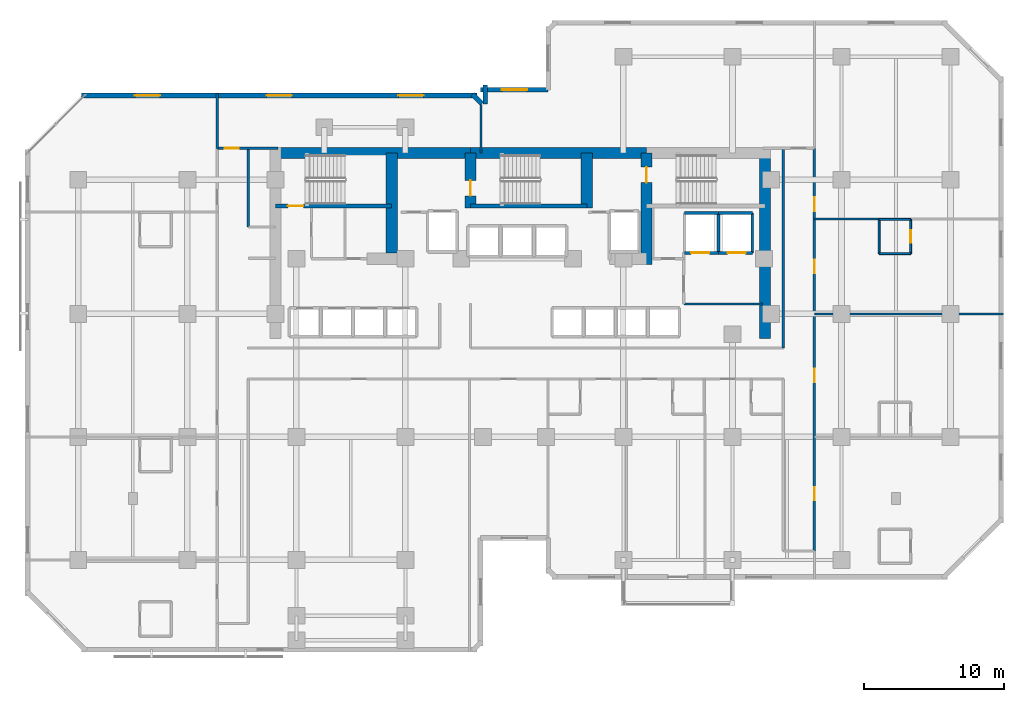
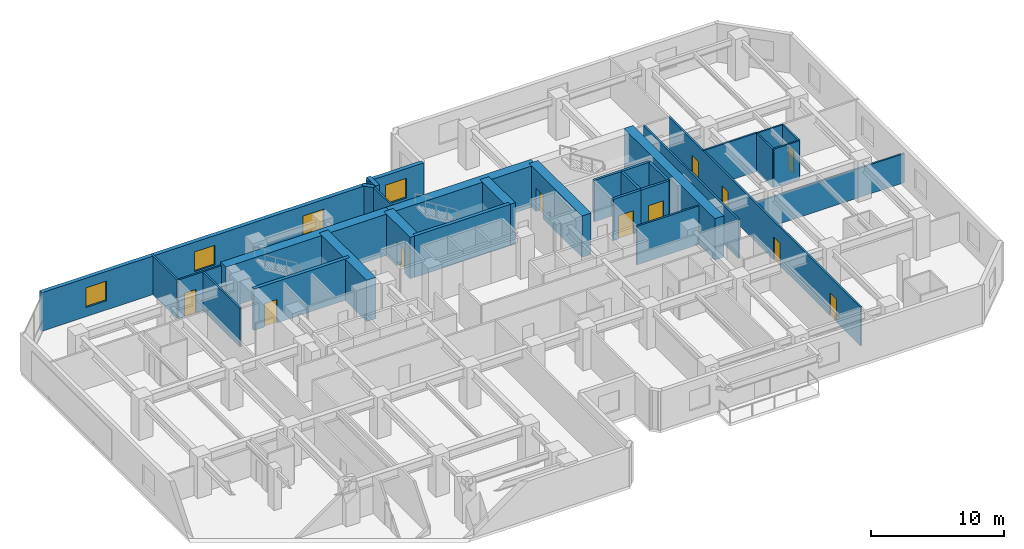
# One storey, part 9 of 12: 32 walls, 11 doors, 4 windows, 15 openings.
"""IFC4 building model written with IfcOpenShell, lengths in metres."""

from ifc_helpers import new_model, si_unit, direction, frame, frame_2d, origin, place, context, subcontext, project, spatial, rectangle, extrude, material, layer, layer_set, type_object, element, fill, save


model = new_model("IFC4")

# Units and contexts
model_context = context("Model", 3, precision=1e-05, world=origin(), true_north=direction((0.0, 1.0)))
body_context = subcontext(model_context, "Body", "Model", "MODEL_VIEW")
ifc_project = project(units=[si_unit("LENGTHUNIT", "METRE"), si_unit("AREAUNIT", "SQUARE_METRE"), si_unit("VOLUMEUNIT", "CUBIC_METRE"), si_unit("PLANEANGLEUNIT", "RADIAN"), si_unit("MASSUNIT", "GRAM", prefix="KILO")], contexts=[model_context])

# Site, building, storey
site_placement = place(None, origin())
site = spatial("IfcSite", under=ifc_project, at=site_placement, CompositionType="ELEMENT")
building_placement = place(site_placement, origin())
building = spatial("IfcBuilding", under=site, at=building_placement, Name="Kestravale Grand Hotel", CompositionType="ELEMENT")
storey_placement = place(building_placement, frame((0.0, 0.0, 118.39990234375)))
storey = spatial("IfcBuildingStorey", under=building, at=storey_placement, Name="L29", CompositionType="ELEMENT", Elevation=118.39990234375)

# Walls
ifc_material_1 = material(Name="Concrete f'c 60 MPa", Category="concrete")
ifc_layer_1 = layer(ifc_material_1, 0.800048828125)
ifc_layer_set_1 = layer_set([ifc_layer_1], Name="EW-CORE-800")
wall_type_1 = type_object("IfcWallType", Name="EW-CORE-800", PredefinedType="SHEAR", material=ifc_layer_set_1)
wall_1_placement = place(storey_placement, frame((21.5, 40.320068359375, 0.0), z_axis=(0.0, 0.0, 1.0), x_axis=(1.0, 0.0, 0.0)))
element("IfcWall", 1, at=wall_1_placement, inside=storey, type_object=wall_type_1, Name="L29 core shear wall N1", PredefinedType="SHEAR", context=body_context, shape_type="SweptSolid", body=[
    extrude(rectangle(XDim=14.35009765625, YDim=0.800048828125, at=frame_2d((7.175048828125, 0.0))), origin(), (0.0, 0.0, 1.0), 3.800048828125),
])
wall_2_placement = place(storey_placement, frame((35.85009765625, 40.320068359375, 0.0), z_axis=(0.0, 0.0, 1.0), x_axis=(1.0, 0.0, 0.0)))
element("IfcWall", 2, at=wall_2_placement, inside=storey, type_object=wall_type_1, Name="L29 core shear wall N2", PredefinedType="SHEAR", context=body_context, shape_type="SweptSolid", body=[
    extrude(rectangle(XDim=12.599853515625, YDim=0.800048828125, at=frame_2d((6.2998046875, 0.0))), origin(), (0.0, 0.0, 1.0), 3.800048828125),
])
wall_3_placement = place(storey_placement, frame((56.919921875, 27.050048828125, 0.0), z_axis=(0.0, 0.0, 1.0), x_axis=(0.0, 1.0, 0.0)))
element("IfcWall", 3, at=wall_3_placement, inside=storey, type_object=wall_type_1, Name="L29 core shear wall E1", PredefinedType="SHEAR", context=body_context, shape_type="SweptSolid", body=[
    extrude(rectangle(XDim=13.669921875, YDim=0.800048828125, at=frame_2d((6.8349609375, 0.0))), origin(), (0.0, 0.0, 1.0), 3.800048828125),
])
wall_4_placement = place(storey_placement, frame((30.219970703125, 33.14990234375, 0.0), z_axis=(0.0, 0.0, 1.0), x_axis=(0.0, 1.0, 0.0)))
element("IfcWall", 4, at=wall_4_placement, inside=storey, type_object=wall_type_1, Name="L29 core shear wall X1", PredefinedType="SHEAR", context=body_context, shape_type="SweptSolid", body=[
    extrude(rectangle(XDim=7.170166015625, YDim=0.800048828125, at=frame_2d((3.5849609375, 0.0))), origin(), (0.0, 0.0, 1.0), 3.800048828125),
])

# Wall, opening, door
wall_5_placement = place(storey_placement, frame((35.85009765625, 36.3701171875, 0.0), z_axis=(0.0, 0.0, 1.0), x_axis=(0.0, 1.0, 0.0)))
wall_5 = element("IfcWall", 5, at=wall_5_placement, inside=storey, type_object=wall_type_1, Name="L29 core shear wall X2", PredefinedType="SHEAR", context=body_context, shape_type="SweptSolid", body=[
    extrude(rectangle(XDim=3.949951171875, YDim=0.800048828125, at=frame_2d((1.97509765625, 0.0))), origin(), (0.0, 0.0, 1.0), 3.800048828125),
])
opening_1_placement = place(wall_5_placement, frame((0.8798828125, 0.0, 0.0)))
opening_1 = element("IfcOpeningElement", 6, at=opening_1_placement, cuts=wall_5, Name="Opening D-ST-1100", PredefinedType="OPENING", context=body_context, shape_type="SweptSolid", body=[
    extrude(rectangle(XDim=1.10009765625, YDim=2.14990234375, at=frame_2d((0.550048828125, 1.074951171875))), frame((0.0, 0.409912109375, 0.0), z_axis=(0.0, -1.0, 0.0), x_axis=(1.0, 0.0, 0.0)), (0.0, 0.0, 1.0), 0.820068359375),
])
ifc_material_2 = material(Name="Galvanised 90-minute fire-rated steel stair door", Category="steel")
door_type_1 = type_object("IfcDoorType", Name="D-ST-1100", OperationType="NOTDEFINED", PredefinedType="DOOR", material=ifc_material_2)
door_1_placement = place(opening_1_placement, origin())
door_1 = element("IfcDoor", 7, at=door_1_placement, inside=storey, type_object=door_type_1, Name="L29 Stair ST-2 FSAE fire door", OperationType="SINGLE_SWING_RIGHT", OverallHeight=2.14990234375, OverallWidth=1.10009765625, PredefinedType="DOOR", context=body_context, shape_type="SweptSolid", body=[
    extrude(rectangle(XDim=1.10009765625, YDim=2.14990234375, at=frame_2d((0.550048828125, 1.074951171875))), frame((0.0, 0.02490234375, 0.0), z_axis=(0.0, -1.0, 0.0), x_axis=(1.0, 0.0, 0.0)), (0.0, 0.0, 1.0), 0.050048828125),
])
fill(opening_1, door_1)

# Wall
wall_6_placement = place(storey_placement, frame((44.179931640625, 36.3701171875, 0.0), z_axis=(0.0, 0.0, 1.0), x_axis=(0.0, 1.0, 0.0)))
element("IfcWall", 8, at=wall_6_placement, inside=storey, type_object=wall_type_1, Name="L29 core shear wall X3", PredefinedType="SHEAR", context=body_context, shape_type="SweptSolid", body=[
    extrude(rectangle(XDim=3.949951171875, YDim=0.800048828125, at=frame_2d((1.97509765625, 0.0))), origin(), (0.0, 0.0, 1.0), 3.800048828125),
])

# Wall, opening, door
wall_7_placement = place(storey_placement, frame((48.449951171875, 32.35009765625, 0.0), z_axis=(0.0, 0.0, 1.0), x_axis=(0.0, 1.0, 0.0)))
wall_7 = element("IfcWall", 9, at=wall_7_placement, inside=storey, type_object=wall_type_1, Name="L29 core shear wall X4", PredefinedType="SHEAR", context=body_context, shape_type="SweptSolid", body=[
    extrude(rectangle(XDim=7.969970703125, YDim=0.800048828125, at=frame_2d((3.98486328125, 0.0))), origin(), (0.0, 0.0, 1.0), 3.800048828125),
])
opening_2_placement = place(wall_7_placement, frame((5.85009765625, 0.0, 0.0)))
opening_2 = element("IfcOpeningElement", 10, at=opening_2_placement, cuts=wall_7, Name="Opening D-ST-1100", PredefinedType="OPENING", context=body_context, shape_type="SweptSolid", body=[
    extrude(rectangle(XDim=1.10009765625, YDim=2.14990234375, at=frame_2d((0.550048828125, 1.074951171875))), frame((0.0, 0.409912109375, 0.0), z_axis=(0.0, -1.0, 0.0), x_axis=(1.0, 0.0, 0.0)), (0.0, 0.0, 1.0), 0.820068359375),
])
door_2_placement = place(opening_2_placement, origin())
door_2 = element("IfcDoor", 11, at=door_2_placement, inside=storey, type_object=door_type_1, Name="L29 Stair ST-3 FSAE fire door", OperationType="SINGLE_SWING_RIGHT", OverallHeight=2.14990234375, OverallWidth=1.10009765625, PredefinedType="DOOR", context=body_context, shape_type="SweptSolid", body=[
    extrude(rectangle(XDim=1.10009765625, YDim=2.14990234375, at=frame_2d((0.550048828125, 1.074951171875))), frame((0.0, 0.02490234375, 0.0), z_axis=(0.0, -1.0, 0.0), x_axis=(1.0, 0.0, 0.0)), (0.0, 0.0, 1.0), 0.050048828125),
])
fill(opening_2, door_2)

# Wall, opening, window
ifc_material_3 = material(Name="Precast concrete f'c 45 MPa", Category="concrete")
ifc_layer_2 = layer(ifc_material_3, 0.340087890625)
ifc_layer_set_2 = layer_set([ifc_layer_2], Name="EW-PREC-340")
wall_type_2 = type_object("IfcWallType", Name="EW-PREC-340", PredefinedType="SOLIDWALL", material=ifc_layer_set_2)
wall_8_placement = place(storey_placement, frame((41.419921875, 44.830078125, 0.0), z_axis=(0.0, 0.0, 1.0), x_axis=(-1.0, 0.0, 0.0)))
wall_8 = element("IfcWall", 12, at=wall_8_placement, inside=storey, type_object=wall_type_2, Name="L29 fluted precast facade wall 14", PredefinedType="SOLIDWALL", context=body_context, shape_type="SweptSolid", body=[
    extrude(rectangle(XDim=4.83984375, YDim=0.340087890625, at=frame_2d((2.419921875, 0.0))), origin(), (0.0, 0.0, 1.0), 3.5400390625),
])
opening_3_placement = place(wall_8_placement, frame((1.52001953125, 0.0, 0.85009765625)))
opening_3 = element("IfcOpeningElement", 13, at=opening_3_placement, cuts=wall_8, Name="Opening W-GUEST-1800", PredefinedType="OPENING", context=body_context, shape_type="SweptSolid", body=[
    extrude(rectangle(XDim=1.800048828125, YDim=1.800048828125, at=frame_2d((0.89990234375, 0.89990234375))), frame((0.0, 0.179931640625, 0.0), z_axis=(0.0, -1.0, 0.0), x_axis=(1.0, 0.0, 0.0)), (0.0, 0.0, 1.0), 0.360107421875),
])
ifc_material_4 = material(Name="Insulated low-E double glazing in aluminium frame", Category="aluminium")
window_type = type_object("IfcWindowType", Name="W-GUEST-1800", PartitioningType="DOUBLE_PANEL_VERTICAL", PredefinedType="WINDOW", material=ifc_material_4)
window_1_placement = place(opening_3_placement, origin())
window_1 = element("IfcWindow", 14, at=window_1_placement, inside=storey, type_object=window_type, Name="L29 exterior window 14.1", OverallHeight=1.800048828125, OverallWidth=1.800048828125, PartitioningType="SINGLE_PANEL", PredefinedType="WINDOW", context=body_context, shape_type="SweptSolid", body=[
    extrude(rectangle(XDim=1.800048828125, YDim=1.800048828125, at=frame_2d((0.89990234375, 0.89990234375))), frame((0.0, 0.030029296875, 0.0), z_axis=(0.0, -1.0, 0.0), x_axis=(1.0, 0.0, 0.0)), (0.0, 0.0, 1.0), 0.06005859375),
])
fill(opening_3, window_1)

# Walls
wall_9_placement = place(storey_placement, frame((36.919921875, 45.169921875, 0.0), z_axis=(0.0, 0.0, 1.0), x_axis=(0.0, -1.0, 0.0)))
element("IfcWall", 15, at=wall_9_placement, inside=storey, type_object=wall_type_2, Name="L29 fluted precast facade wall 15", PredefinedType="SOLIDWALL", context=body_context, shape_type="SweptSolid", body=[
    extrude(rectangle(XDim=1.33984375, YDim=0.340087890625, at=frame_2d((0.669921875, 0.0))), origin(), (0.0, 0.0, 1.0), 3.5400390625),
])
wall_10_placement = place(storey_placement, frame((36.658203125, 43.8515625, 0.0), z_axis=(0.0, 0.0, 1.0), x_axis=(-0.707238225886, 0.706975312048, 0.0)))
element("IfcWall", 16, at=wall_10_placement, inside=storey, type_object=wall_type_2, Name="L29 fluted precast facade wall 16", PredefinedType="SOLIDWALL", context=body_context, shape_type="SweptSolid", body=[
    extrude(rectangle(XDim=0.9287109375, YDim=0.340087890625, at=frame_2d((0.46435546875, 0.0))), origin(), (0.0, 0.0, 1.0), 3.5400390625),
])

# Wall, openings, windows
wall_11_placement = place(storey_placement, frame((36.320068359375, 44.429931640625, 0.0), z_axis=(0.0, 0.0, 1.0), x_axis=(-1.0, 0.0, 0.0)))
wall_11 = element("IfcWall", 17, at=wall_11_placement, inside=storey, type_object=wall_type_2, Name="L29 fluted precast facade wall 17", PredefinedType="SOLIDWALL", context=body_context, shape_type="SweptSolid", body=[
    extrude(rectangle(XDim=28.2900390625, YDim=0.340087890625, at=frame_2d((14.14501953125, 0.0))), origin(), (0.0, 0.0, 1.0), 3.5400390625),
])
opening_4_placement = place(wall_11_placement, frame((3.81494140625, 0.0, 0.85009765625)))
opening_4 = element("IfcOpeningElement", 18, at=opening_4_placement, cuts=wall_11, Name="Opening W-GUEST-1800", PredefinedType="OPENING", context=body_context, shape_type="SweptSolid", body=[
    extrude(rectangle(XDim=1.800048828125, YDim=1.800048828125, at=frame_2d((0.89990234375, 0.89990234375))), frame((0.0, 0.179931640625, 0.0), z_axis=(0.0, -1.0, 0.0), x_axis=(1.0, 0.0, 0.0)), (0.0, 0.0, 1.0), 0.360107421875),
])
opening_5_placement = place(wall_11_placement, frame((13.2451171875, 0.0, 0.85009765625)))
opening_5 = element("IfcOpeningElement", 19, at=opening_5_placement, cuts=wall_11, Name="Opening W-GUEST-1800", PredefinedType="OPENING", context=body_context, shape_type="SweptSolid", body=[
    extrude(rectangle(XDim=1.800048828125, YDim=1.800048828125, at=frame_2d((0.89990234375, 0.89990234375))), frame((0.0, 0.179931640625, 0.0), z_axis=(0.0, -1.0, 0.0), x_axis=(1.0, 0.0, 0.0)), (0.0, 0.0, 1.0), 0.360107421875),
])
opening_6_placement = place(wall_11_placement, frame((22.675048828125, 0.0, 0.85009765625)))
opening_6 = element("IfcOpeningElement", 20, at=opening_6_placement, cuts=wall_11, Name="Opening W-GUEST-1800", PredefinedType="OPENING", context=body_context, shape_type="SweptSolid", body=[
    extrude(rectangle(XDim=1.800048828125, YDim=1.800048828125, at=frame_2d((0.89990234375, 0.89990234375))), frame((0.0, 0.179931640625, 0.0), z_axis=(0.0, -1.0, 0.0), x_axis=(1.0, 0.0, 0.0)), (0.0, 0.0, 1.0), 0.360107421875),
])
window_2_placement = place(opening_4_placement, origin())
window_2 = element("IfcWindow", 21, at=window_2_placement, inside=storey, type_object=window_type, Name="L29 exterior window 17.1", OverallHeight=1.800048828125, OverallWidth=1.800048828125, PartitioningType="SINGLE_PANEL", PredefinedType="WINDOW", context=body_context, shape_type="SweptSolid", body=[
    extrude(rectangle(XDim=1.800048828125, YDim=1.800048828125, at=frame_2d((0.89990234375, 0.89990234375))), frame((0.0, 0.030029296875, 0.0), z_axis=(0.0, -1.0, 0.0), x_axis=(1.0, 0.0, 0.0)), (0.0, 0.0, 1.0), 0.06005859375),
])
fill(opening_4, window_2)
window_3_placement = place(opening_5_placement, origin())
window_3 = element("IfcWindow", 22, at=window_3_placement, inside=storey, type_object=window_type, Name="L29 exterior window 17.2", OverallHeight=1.800048828125, OverallWidth=1.800048828125, PartitioningType="SINGLE_PANEL", PredefinedType="WINDOW", context=body_context, shape_type="SweptSolid", body=[
    extrude(rectangle(XDim=1.800048828125, YDim=1.800048828125, at=frame_2d((0.89990234375, 0.89990234375))), frame((0.0, 0.030029296875, 0.0), z_axis=(0.0, -1.0, 0.0), x_axis=(1.0, 0.0, 0.0)), (0.0, 0.0, 1.0), 0.06005859375),
])
fill(opening_5, window_3)
window_4_placement = place(opening_6_placement, origin())
window_4 = element("IfcWindow", 23, at=window_4_placement, inside=storey, type_object=window_type, Name="L29 exterior window 17.3", OverallHeight=1.800048828125, OverallWidth=1.800048828125, PartitioningType="SINGLE_PANEL", PredefinedType="WINDOW", context=body_context, shape_type="SweptSolid", body=[
    extrude(rectangle(XDim=1.800048828125, YDim=1.800048828125, at=frame_2d((0.89990234375, 0.89990234375))), frame((0.0, 0.030029296875, 0.0), z_axis=(0.0, -1.0, 0.0), x_axis=(1.0, 0.0, 0.0)), (0.0, 0.0, 1.0), 0.06005859375),
])
fill(opening_6, window_4)

# Wall, opening, door
ifc_material_5 = material(Name="Concrete f'c 45 MPa", Category="concrete")
ifc_layer_3 = layer(ifc_material_5, 0.300048828125)
ifc_layer_set_3 = layer_set([ifc_layer_3], Name="EW-STAIR-300")
wall_type_3 = type_object("IfcWallType", Name="EW-STAIR-300", PredefinedType="SHEAR", material=ifc_layer_set_3)
wall_12_placement = place(storey_placement, frame((21.89990234375, 36.52001953125, 0.0), z_axis=(0.0, 0.0, 1.0), x_axis=(1.0, 0.0, 0.0)))
wall_12 = element("IfcWall", 24, at=wall_12_placement, inside=storey, type_object=wall_type_3, Name="L29 stair enclosure shear wall SST1", PredefinedType="SHEAR", context=body_context, shape_type="SweptSolid", body=[
    extrude(rectangle(XDim=8.320068359375, YDim=0.300048828125, at=frame_2d((4.16015625, 0.0))), origin(), (0.0, 0.0, 1.0), 3.800048828125),
])
opening_7_placement = place(wall_12_placement, frame((0.89990234375, 0.0, 0.0)))
opening_7 = element("IfcOpeningElement", 25, at=opening_7_placement, cuts=wall_12, Name="Opening D-ST-1100", PredefinedType="OPENING", context=body_context, shape_type="SweptSolid", body=[
    extrude(rectangle(XDim=1.10009765625, YDim=2.14990234375, at=frame_2d((0.550048828125, 1.074951171875))), frame((0.0, 0.159912109375, 0.0), z_axis=(0.0, -1.0, 0.0), x_axis=(1.0, 0.0, 0.0)), (0.0, 0.0, 1.0), 0.320068359375),
])
door_3_placement = place(opening_7_placement, origin())
door_3 = element("IfcDoor", 26, at=door_3_placement, inside=storey, type_object=door_type_1, Name="L29 Stair ST-1 fire door", OperationType="SINGLE_SWING_RIGHT", OverallHeight=2.14990234375, OverallWidth=1.10009765625, PredefinedType="DOOR", context=body_context, shape_type="SweptSolid", body=[
    extrude(rectangle(XDim=1.10009765625, YDim=2.14990234375, at=frame_2d((0.550048828125, 1.074951171875))), frame((0.0, 0.02490234375, 0.0), z_axis=(0.0, -1.0, 0.0), x_axis=(1.0, 0.0, 0.0)), (0.0, 0.0, 1.0), 0.050048828125),
])
fill(opening_7, door_3)

# Walls
wall_13_placement = place(storey_placement, frame((35.85009765625, 36.52001953125, 0.0), z_axis=(0.0, 0.0, 1.0), x_axis=(1.0, 0.0, 0.0)))
element("IfcWall", 27, at=wall_13_placement, inside=storey, type_object=wall_type_3, Name="L29 stair enclosure shear wall SST2", PredefinedType="SHEAR", context=body_context, shape_type="SweptSolid", body=[
    extrude(rectangle(XDim=8.329833984375, YDim=0.300048828125, at=frame_2d((4.1650390625, 0.0))), origin(), (0.0, 0.0, 1.0), 3.800048828125),
])
ifc_material_6 = material(Name="Acoustic fire-rated gypsum board partition", Category="other")
ifc_layer_4 = layer(ifc_material_6, 0.159912109375)
ifc_layer_set_4 = layer_set([ifc_layer_4], Name="IW-CORR-160")
wall_type_4 = type_object("IfcWallType", Name="IW-CORR-160", PredefinedType="PARTITIONING", material=ifc_layer_set_4)
for number, where, z_axis, x_axis, name in (
    (28, (51.1201171875, 29.5, 0.0), (0.0, 0.0, 1.0), (1.0, 0.0, 0.0), "L29 service lift lobby wall"),
    (29, (19.9599609375, 35.02001953125, 0.0), (0.0, 0.0, 1.0), (0.0, 1.0, 0.0), "W-L29-SW-EN"),
):
    element("IfcWall", number, at=place(storey_placement, frame(where, z_axis=z_axis, x_axis=x_axis)), inside=storey, type_object=wall_type_4, Name=name, PredefinedType="PARTITIONING", context=body_context, shape_type="SweptSolid", body=[
        extrude(rectangle(XDim=5.6298828125, YDim=0.159912109375, at=frame_2d((2.81494140625, 0.0))), origin(), (0.0, 0.0, 1.0), 3.5400390625),
    ])

# Wall, openings, doors
wall_14_placement = place(storey_placement, frame((60.4599609375, 11.85009765625, 0.0), z_axis=(0.0, 0.0, 1.0), x_axis=(0.0, 1.0, 0.0)))
wall_14 = element("IfcWall", 30, at=wall_14_placement, inside=storey, type_object=wall_type_4, Name="W-L29-SE-E", PredefinedType="PARTITIONING", context=body_context, shape_type="SweptSolid", body=[
    extrude(rectangle(XDim=28.7998046875, YDim=0.159912109375, at=frame_2d((14.39990234375, 0.0))), origin(), (0.0, 0.0, 1.0), 3.5400390625),
])
opening_8_placement = place(wall_14_placement, frame((3.60009765625, 0.0, 0.0)))
opening_8 = element("IfcOpeningElement", 31, at=opening_8_placement, cuts=wall_14, Name="Opening D-GUEST-950", PredefinedType="OPENING", context=body_context, shape_type="SweptSolid", body=[
    extrude(rectangle(XDim=0.949951171875, YDim=2.10009765625, at=frame_2d((0.47509765625, 1.050048828125))), frame((0.0, 0.08984375, 0.0), z_axis=(0.0, -1.0, 0.0), x_axis=(1.0, 0.0, 0.0)), (0.0, 0.0, 1.0), 0.179931640625),
])
opening_9_placement = place(wall_14_placement, frame((12.074951171875, 0.0, 0.0)))
opening_9 = element("IfcOpeningElement", 32, at=opening_9_placement, cuts=wall_14, Name="Opening D-GUEST-950", PredefinedType="OPENING", context=body_context, shape_type="SweptSolid", body=[
    extrude(rectangle(XDim=0.949951171875, YDim=2.10009765625, at=frame_2d((0.47509765625, 1.050048828125))), frame((0.0, 0.08984375, 0.0), z_axis=(0.0, -1.0, 0.0), x_axis=(1.0, 0.0, 0.0)), (0.0, 0.0, 1.0), 0.179931640625),
])
opening_10_placement = place(wall_14_placement, frame((19.875, 0.0, 0.0)))
opening_10 = element("IfcOpeningElement", 33, at=opening_10_placement, cuts=wall_14, Name="Opening D-GUEST-950", PredefinedType="OPENING", context=body_context, shape_type="SweptSolid", body=[
    extrude(rectangle(XDim=0.949951171875, YDim=2.10009765625, at=frame_2d((0.47509765625, 1.050048828125))), frame((0.0, 0.08984375, 0.0), z_axis=(0.0, -1.0, 0.0), x_axis=(1.0, 0.0, 0.0)), (0.0, 0.0, 1.0), 0.179931640625),
])
opening_11_placement = place(wall_14_placement, frame((24.300048828125, 0.0, 0.0)))
opening_11 = element("IfcOpeningElement", 34, at=opening_11_placement, cuts=wall_14, Name="Opening D-GUEST-1000", PredefinedType="OPENING", context=body_context, shape_type="SweptSolid", body=[
    extrude(rectangle(XDim=1.0, YDim=2.14990234375, at=frame_2d((0.5, 1.074951171875))), frame((0.0, 0.08984375, 0.0), z_axis=(0.0, -1.0, 0.0), x_axis=(1.0, 0.0, 0.0)), (0.0, 0.0, 1.0), 0.179931640625),
])
ifc_material_7 = material(Name="Accessible walnut veneer hotel entrance fire door", Category="wood")
door_type_2 = type_object("IfcDoorType", Name="D-GUEST-1000", OperationType="NOTDEFINED", PredefinedType="DOOR", material=ifc_material_7)
door_4_placement = place(opening_11_placement, origin())
door_4 = element("IfcDoor", 35, at=door_4_placement, inside=storey, type_object=door_type_2, Name="D-L29-AMEW", OperationType="SINGLE_SWING_RIGHT", OverallHeight=2.14990234375, OverallWidth=1.0, PredefinedType="DOOR", context=body_context, shape_type="SweptSolid", body=[
    extrude(rectangle(XDim=1.0, YDim=2.14990234375, at=frame_2d((0.5, 1.074951171875))), frame((0.0, 0.02490234375, 0.0), z_axis=(0.0, -1.0, 0.0), x_axis=(1.0, 0.0, 0.0)), (0.0, 0.0, 1.0), 0.050048828125),
])
fill(opening_11, door_4)
ifc_material_8 = material(Name="Walnut veneer hotel guestroom entrance fire door", Category="wood")
door_type_3 = type_object("IfcDoorType", Name="D-GUEST-950", OperationType="NOTDEFINED", PredefinedType="DOOR", material=ifc_material_8)
door_5_placement = place(opening_8_placement, origin())
door_5 = element("IfcDoor", 36, at=door_5_placement, inside=storey, type_object=door_type_3, Name="D-L29-U07-ENT", OperationType="SINGLE_SWING_LEFT", OverallHeight=2.10009765625, OverallWidth=0.949951171875, PredefinedType="DOOR", context=body_context, shape_type="SweptSolid", body=[
    extrude(rectangle(XDim=0.949951171875, YDim=2.10009765625, at=frame_2d((0.47509765625, 1.050048828125))), frame((0.0, 0.02490234375, 0.0), z_axis=(0.0, -1.0, 0.0), x_axis=(1.0, 0.0, 0.0)), (0.0, 0.0, 1.0), 0.050048828125),
])
fill(opening_8, door_5)
door_6_placement = place(opening_9_placement, origin())
door_6 = element("IfcDoor", 37, at=door_6_placement, inside=storey, type_object=door_type_3, Name="D-L29-U08-ENT", OperationType="SINGLE_SWING_LEFT", OverallHeight=2.10009765625, OverallWidth=0.949951171875, PredefinedType="DOOR", context=body_context, shape_type="SweptSolid", body=[
    extrude(rectangle(XDim=0.949951171875, YDim=2.10009765625, at=frame_2d((0.47509765625, 1.050048828125))), frame((0.0, 0.02490234375, 0.0), z_axis=(0.0, -1.0, 0.0), x_axis=(1.0, 0.0, 0.0)), (0.0, 0.0, 1.0), 0.050048828125),
])
fill(opening_9, door_6)
door_7_placement = place(opening_10_placement, origin())
door_7 = element("IfcDoor", 38, at=door_7_placement, inside=storey, type_object=door_type_3, Name="D-L29-U09-ENT", OperationType="SINGLE_SWING_LEFT", OverallHeight=2.10009765625, OverallWidth=0.949951171875, PredefinedType="DOOR", context=body_context, shape_type="SweptSolid", body=[
    extrude(rectangle(XDim=0.949951171875, YDim=2.10009765625, at=frame_2d((0.47509765625, 1.050048828125))), frame((0.0, 0.02490234375, 0.0), z_axis=(0.0, -1.0, 0.0), x_axis=(1.0, 0.0, 0.0)), (0.0, 0.0, 1.0), 0.050048828125),
])
fill(opening_10, door_7)

# Walls
wall_15_placement = place(storey_placement, frame((58.239990234375, 26.360107421875, 0.0), z_axis=(0.0, 0.0, 1.0), x_axis=(0.0, 1.0, 0.0)))
element("IfcWall", 39, at=wall_15_placement, inside=storey, type_object=wall_type_4, Name="W-L29-SE-WU", PredefinedType="PARTITIONING", context=body_context, shape_type="SweptSolid", body=[
    extrude(rectangle(XDim=14.289794921875, YDim=0.159912109375, at=frame_2d((7.14501953125, 0.0))), origin(), (0.0, 0.0, 1.0), 3.5400390625),
])
ifc_material_9 = material(Name="Moisture-resistant tile-backer plumbing chase wall", Category="other")
ifc_layer_5 = layer(ifc_material_9, 0.139892578125)
ifc_layer_set_5 = layer_set([ifc_layer_5], Name="IW-PLB-140")
wall_type_5 = type_object("IfcWallType", Name="IW-PLB-140", PredefinedType="PLUMBINGWALL", material=ifc_layer_set_5)
wall_16_placement = place(storey_placement, frame((65.10009765625, 33.110107421875, 0.0), z_axis=(0.0, 0.0, 1.0), x_axis=(0.0, 1.0, 0.0)))
element("IfcWall", 40, at=wall_16_placement, inside=storey, type_object=wall_type_5, Name="W-L29-U09-BW", PredefinedType="PLUMBINGWALL", context=body_context, shape_type="SweptSolid", body=[
    extrude(rectangle(XDim=2.449951171875, YDim=0.139892578125, at=frame_2d((1.22509765625, 0.0))), origin(), (0.0, 0.0, 1.0), 3.5400390625),
])

# Wall, opening, door
wall_17_placement = place(storey_placement, frame((67.35009765625, 33.110107421875, 0.0), z_axis=(0.0, 0.0, 1.0), x_axis=(0.0, 1.0, 0.0)))
wall_17 = element("IfcWall", 41, at=wall_17_placement, inside=storey, type_object=wall_type_5, Name="W-L29-U09-BE", PredefinedType="PLUMBINGWALL", context=body_context, shape_type="SweptSolid", body=[
    extrude(rectangle(XDim=2.449951171875, YDim=0.139892578125, at=frame_2d((1.22509765625, 0.0))), origin(), (0.0, 0.0, 1.0), 3.5400390625),
])
opening_12_placement = place(wall_17_placement, frame((0.784912109375, 0.0, 0.0)))
opening_12 = element("IfcOpeningElement", 42, at=opening_12_placement, cuts=wall_17, Name="Opening D-BATH-880", PredefinedType="OPENING", context=body_context, shape_type="SweptSolid", body=[
    extrude(rectangle(XDim=0.8798828125, YDim=2.050048828125, at=frame_2d((0.43994140625, 1.02490234375))), frame((0.0, 0.079833984375, 0.0), z_axis=(0.0, -1.0, 0.0), x_axis=(1.0, 0.0, 0.0)), (0.0, 0.0, 1.0), 0.159912109375),
])
ifc_material_10 = material(Name="Moisture-sealed walnut en-suite bathroom door", Category="wood")
door_type_4 = type_object("IfcDoorType", Name="D-BATH-880", OperationType="NOTDEFINED", PredefinedType="DOOR", material=ifc_material_10)
door_8_placement = place(opening_12_placement, origin())
door_8 = element("IfcDoor", 43, at=door_8_placement, inside=storey, type_object=door_type_4, Name="D-L29-U09-BATH", OperationType="SINGLE_SWING_RIGHT", OverallHeight=2.050048828125, OverallWidth=0.8798828125, PredefinedType="DOOR", context=body_context, shape_type="SweptSolid", body=[
    extrude(rectangle(XDim=0.8798828125, YDim=2.050048828125, at=frame_2d((0.43994140625, 1.02490234375))), frame((0.0, 0.02490234375, 0.0), z_axis=(0.0, -1.0, 0.0), x_axis=(1.0, 0.0, 0.0)), (0.0, 0.0, 1.0), 0.050048828125),
])
fill(opening_12, door_8)

# Walls
for number, where, z_axis, x_axis, name in (
    (44, (65.10009765625, 33.110107421875, 0.0), (0.0, 0.0, 1.0), (1.0, 0.0, 0.0), "W-L29-U09-BS"),
    (45, (65.10009765625, 35.56005859375, 0.0), (0.0, 0.0, 1.0), (1.0, 0.0, 0.0), "W-L29-U09-BN"),
):
    element("IfcWall", number, at=place(storey_placement, frame(where, z_axis=z_axis, x_axis=x_axis)), inside=storey, type_object=wall_type_5, Name=name, PredefinedType="PLUMBINGWALL", context=body_context, shape_type="SweptSolid", body=[
        extrude(rectangle(XDim=2.25, YDim=0.139892578125, at=frame_2d((1.125, 0.0))), origin(), (0.0, 0.0, 1.0), 3.5400390625),
    ])
ifc_material_11 = material(Name="Concrete f'c 45 MPa", Category="concrete")
ifc_layer_6 = layer(ifc_material_11, 0.199951171875)
ifc_layer_set_6 = layer_set([ifc_layer_6], Name="IW-SHAFT-200")
wall_type_6 = type_object("IfcWallType", Name="IW-SHAFT-200", PredefinedType="SHEAR", material=ifc_layer_set_6)
for number, where, z_axis, x_axis, name in (
    (46, (53.60009765625, 33.169921875, 0.0), (0.0, 0.0, 1.0), (0.0, 1.0, 0.0), "L29 SL-2 west shaft wall"),
    (47, (56.02001953125, 33.169921875, 0.0), (0.0, 0.0, 1.0), (0.0, 1.0, 0.0), "L29 SL-2 east shaft wall"),
):
    element("IfcWall", number, at=place(storey_placement, frame(where, z_axis=z_axis, x_axis=x_axis)), inside=storey, type_object=wall_type_6, Name=name, PredefinedType="SHEAR", context=body_context, shape_type="SweptSolid", body=[
        extrude(rectangle(XDim=2.860107421875, YDim=0.199951171875, at=frame_2d((1.43017578125, 0.0))), origin(), (0.0, 0.0, 1.0), 3.800048828125),
    ])
ifc_material_12 = material(Name="Concrete f'c 45 MPa", Category="concrete")
ifc_layer_7 = layer(ifc_material_12, 0.219970703125)
ifc_layer_set_7 = layer_set([ifc_layer_7], Name="IW-SHAFT-220")
wall_type_7 = type_object("IfcWallType", Name="IW-SHAFT-220", PredefinedType="SHEAR", material=ifc_layer_set_7)
wall_18_placement = place(storey_placement, frame((51.179931640625, 36.030029296875, 0.0), z_axis=(0.0, 0.0, 1.0), x_axis=(1.0, 0.0, 0.0)))
element("IfcWall", 48, at=wall_18_placement, inside=storey, type_object=wall_type_7, Name="L29 SL-1 north shaft wall", PredefinedType="SHEAR", context=body_context, shape_type="SweptSolid", body=[
    extrude(rectangle(XDim=2.420166015625, YDim=0.219970703125, at=frame_2d((1.2099609375, 0.0))), origin(), (0.0, 0.0, 1.0), 3.800048828125),
])

# Wall, opening, door
wall_19_placement = place(storey_placement, frame((51.179931640625, 33.169921875, 0.0), z_axis=(0.0, 0.0, 1.0), x_axis=(1.0, 0.0, 0.0)))
wall_19 = element("IfcWall", 49, at=wall_19_placement, inside=storey, type_object=wall_type_7, Name="L29 SL-1 south shaft wall", PredefinedType="SHEAR", context=body_context, shape_type="SweptSolid", body=[
    extrude(rectangle(XDim=2.420166015625, YDim=0.219970703125, at=frame_2d((1.2099609375, 0.0))), origin(), (0.0, 0.0, 1.0), 3.800048828125),
])
opening_13_placement = place(wall_19_placement, frame((0.469970703125, 0.0, 0.0)))
opening_13 = element("IfcOpeningElement", 50, at=opening_13_placement, cuts=wall_19, Name="Opening LD-SVC-1300", PredefinedType="OPENING", context=body_context, shape_type="SweptSolid", body=[
    extrude(rectangle(XDim=1.300048828125, YDim=2.14990234375, at=frame_2d((0.64990234375, 1.074951171875))), frame((0.0, 0.119873046875, 0.0), z_axis=(0.0, -1.0, 0.0), x_axis=(1.0, 0.0, 0.0)), (0.0, 0.0, 1.0), 0.239990234375),
])
ifc_material_13 = material(Name="Heavy-duty service sliding elevator landing door", Category="steel")
door_type_5 = type_object("IfcDoorType", Name="LD-SVC-1300", OperationType="NOTDEFINED", PredefinedType="DOOR", material=ifc_material_13)
door_9_placement = place(opening_13_placement, origin())
door_9 = element("IfcDoor", 51, at=door_9_placement, inside=storey, type_object=door_type_5, Name="L29 SL-1 elevator landing sliding door", OperationType="DOUBLE_DOOR_SLIDING", OverallHeight=2.14990234375, OverallWidth=1.300048828125, PredefinedType="DOOR", context=body_context, shape_type="SweptSolid", body=[
    extrude(rectangle(XDim=1.300048828125, YDim=2.14990234375, at=frame_2d((0.64990234375, 1.074951171875))), frame((0.0, 0.02490234375, 0.0), z_axis=(0.0, -1.0, 0.0), x_axis=(1.0, 0.0, 0.0)), (0.0, 0.0, 1.0), 0.050048828125),
])
fill(opening_13, door_9)

# Wall
wall_20_placement = place(storey_placement, frame((53.60009765625, 36.030029296875, 0.0), z_axis=(0.0, 0.0, 1.0), x_axis=(1.0, 0.0, 0.0)))
element("IfcWall", 52, at=wall_20_placement, inside=storey, type_object=wall_type_7, Name="L29 SL-2 north shaft wall", PredefinedType="SHEAR", context=body_context, shape_type="SweptSolid", body=[
    extrude(rectangle(XDim=2.419921875, YDim=0.219970703125, at=frame_2d((1.2099609375, 0.0))), origin(), (0.0, 0.0, 1.0), 3.800048828125),
])

# Wall, opening, door
wall_21_placement = place(storey_placement, frame((53.60009765625, 33.169921875, 0.0), z_axis=(0.0, 0.0, 1.0), x_axis=(1.0, 0.0, 0.0)))
wall_21 = element("IfcWall", 53, at=wall_21_placement, inside=storey, type_object=wall_type_7, Name="L29 SL-2 south shaft wall", PredefinedType="SHEAR", context=body_context, shape_type="SweptSolid", body=[
    extrude(rectangle(XDim=2.419921875, YDim=0.219970703125, at=frame_2d((1.2099609375, 0.0))), origin(), (0.0, 0.0, 1.0), 3.800048828125),
])
opening_14_placement = place(wall_21_placement, frame((0.64990234375, 0.0, 0.0)))
opening_14 = element("IfcOpeningElement", 54, at=opening_14_placement, cuts=wall_21, Name="Opening LD-SVC-1300", PredefinedType="OPENING", context=body_context, shape_type="SweptSolid", body=[
    extrude(rectangle(XDim=1.300048828125, YDim=2.14990234375, at=frame_2d((0.64990234375, 1.074951171875))), frame((0.0, 0.119873046875, 0.0), z_axis=(0.0, -1.0, 0.0), x_axis=(1.0, 0.0, 0.0)), (0.0, 0.0, 1.0), 0.239990234375),
])
door_10_placement = place(opening_14_placement, origin())
door_10 = element("IfcDoor", 55, at=door_10_placement, inside=storey, type_object=door_type_5, Name="L29 SL-2 elevator landing sliding door", OperationType="DOUBLE_DOOR_SLIDING", OverallHeight=2.14990234375, OverallWidth=1.300048828125, PredefinedType="DOOR", context=body_context, shape_type="SweptSolid", body=[
    extrude(rectangle(XDim=1.300048828125, YDim=2.14990234375, at=frame_2d((0.64990234375, 1.074951171875))), frame((0.0, 0.02490234375, 0.0), z_axis=(0.0, -1.0, 0.0), x_axis=(1.0, 0.0, 0.0)), (0.0, 0.0, 1.0), 0.050048828125),
])
fill(opening_14, door_10)

ifc_material_14 = material(Name="Double-stud STC 52 acoustic demising partition", Category="other")
ifc_layer_8 = layer(ifc_material_14, 0.14990234375)
ifc_layer_set_8 = layer_set([ifc_layer_8], Name="IW-UNIT-150")
wall_type_8 = type_object("IfcWallType", Name="IW-UNIT-150", PredefinedType="PARTITIONING", material=ifc_layer_set_8)
wall_22_placement = place(storey_placement, frame((17.739990234375, 40.64990234375, 0.0), z_axis=(0.0, 0.0, 1.0), x_axis=(1.0, 0.0, 0.0)))
wall_22 = element("IfcWall", 56, at=wall_22_placement, inside=storey, type_object=wall_type_8, Name="W-L29-SW-N", PredefinedType="PARTITIONING", context=body_context, shape_type="SweptSolid", body=[
    extrude(rectangle(XDim=4.360107421875, YDim=0.14990234375, at=frame_2d((2.18017578125, 0.0))), origin(), (0.0, 0.0, 1.0), 3.5400390625),
])
opening_15_placement = place(wall_22_placement, frame((0.550048828125, 0.0, 0.0)))
opening_15 = element("IfcOpeningElement", 57, at=opening_15_placement, cuts=wall_22, Name="Opening D-GUEST-1000", PredefinedType="OPENING", context=body_context, shape_type="SweptSolid", body=[
    extrude(rectangle(XDim=1.0, YDim=2.14990234375, at=frame_2d((0.5, 1.074951171875))), frame((0.0, 0.0849609375, 0.0), z_axis=(0.0, -1.0, 0.0), x_axis=(1.0, 0.0, 0.0)), (0.0, 0.0, 1.0), 0.169921875),
])
door_11_placement = place(opening_15_placement, origin())
door_11 = element("IfcDoor", 58, at=door_11_placement, inside=storey, type_object=door_type_2, Name="L29 NW Gallery Door", OperationType="SINGLE_SWING_RIGHT", OverallHeight=2.14990234375, OverallWidth=1.0, PredefinedType="DOOR", context=body_context, shape_type="SweptSolid", body=[
    extrude(rectangle(XDim=1.0, YDim=2.14990234375, at=frame_2d((0.5, 1.074951171875))), frame((0.0, 0.02490234375, 0.0), z_axis=(0.0, -1.0, 0.0), x_axis=(1.0, 0.0, 0.0)), (0.0, 0.0, 1.0), 0.050048828125),
])
fill(opening_15, door_11)

# Walls
wall_23_placement = place(storey_placement, frame((17.739990234375, 40.64990234375, 0.0), z_axis=(0.0, 0.0, 1.0), x_axis=(0.0, 1.0, 0.0)))
element("IfcWall", 59, at=wall_23_placement, inside=storey, type_object=wall_type_8, Name="W-L29-NGW-W", PredefinedType="PARTITIONING", context=body_context, shape_type="SweptSolid", body=[
    extrude(rectangle(XDim=3.93017578125, YDim=0.14990234375, at=frame_2d((1.965087890625, 0.0))), origin(), (0.0, 0.0, 1.0), 3.5400390625),
])
wall_24_placement = place(storey_placement, frame((36.60009765625, 40.320068359375, 0.0), z_axis=(0.0, 0.0, 1.0), x_axis=(0.0, 1.0, 0.0)))
element("IfcWall", 60, at=wall_24_placement, inside=storey, type_object=wall_type_8, Name="W-L29-NGM", PredefinedType="PARTITIONING", context=body_context, shape_type="SweptSolid", body=[
    extrude(rectangle(XDim=3.445068359375, YDim=0.14990234375, at=frame_2d((1.72265625, 0.0))), origin(), (0.0, 0.0, 1.0), 3.5400390625),
])
wall_25_placement = place(storey_placement, frame((60.4599609375, 28.800048828125, 0.0), z_axis=(0.0, 0.0, 1.0), x_axis=(1.0, 0.0, 0.0)))
element("IfcWall", 61, at=wall_25_placement, inside=storey, type_object=wall_type_8, Name="W-L29-EW-2", PredefinedType="PARTITIONING", context=body_context, shape_type="SweptSolid", body=[
    extrude(rectangle(XDim=13.52001953125, YDim=0.14990234375, at=frame_2d((6.760009765625, 0.0))), origin(), (0.0, 0.0, 1.0), 2.67919921875),
])
wall_26_placement = place(storey_placement, frame((60.4599609375, 35.60009765625, 0.0), z_axis=(0.0, 0.0, 1.0), x_axis=(1.0, 0.0, 0.0)))
element("IfcWall", 62, at=wall_26_placement, inside=storey, type_object=wall_type_8, Name="W-L29-EW-3", PredefinedType="PARTITIONING", context=body_context, shape_type="SweptSolid", body=[
    extrude(rectangle(XDim=4.64013671875, YDim=0.14990234375, at=frame_2d((2.320068359375, 0.0))), origin(), (0.0, 0.0, 1.0), 3.5400390625),
])

save(model, "model.ifc")
